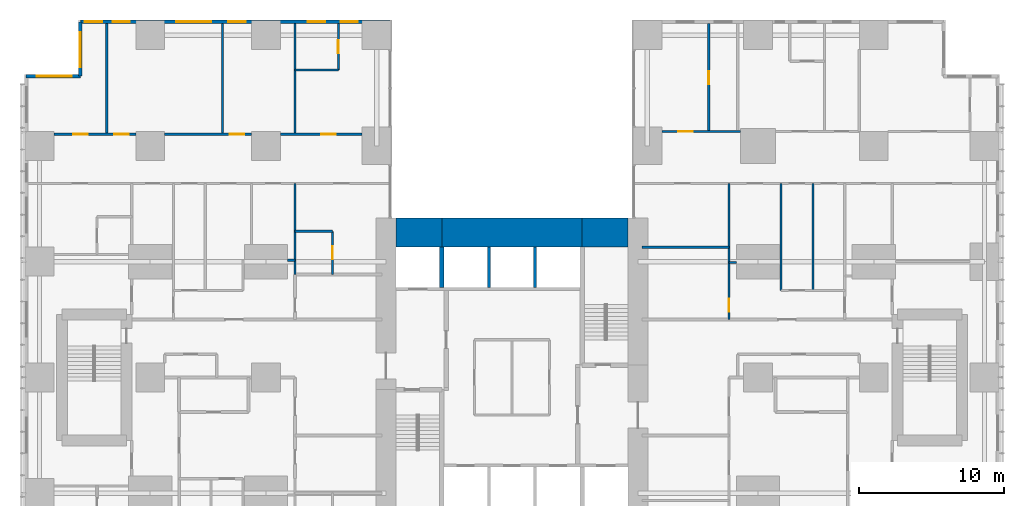
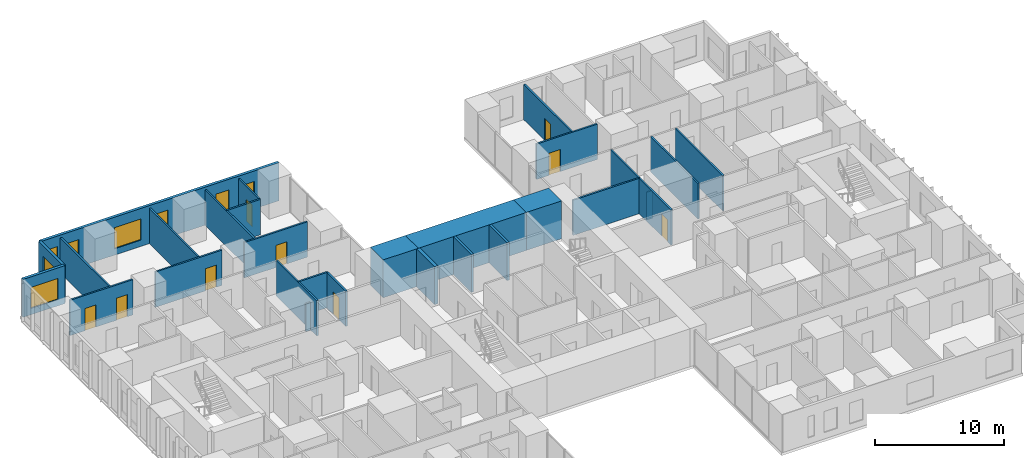
# One storey, part 17 of 20: 28 walls, 9 doors, 8 windows, 17 openings.
"""IFC4 building model written with IfcOpenShell, lengths in metres."""

from ifc_helpers import new_model, si_unit, direction, frame, frame_2d, origin, place, context, subcontext, project, spatial, rectangle, extrude, material, layer, layer_set, type_object, element, fill, save


model = new_model("IFC4")

# Units and contexts
model_context = context("Model", 3, precision=1e-05, world=origin(), true_north=direction((0.0, 1.0)))
body_context = subcontext(model_context, "Body", "Model", "MODEL_VIEW")
ifc_project = project(units=[si_unit("LENGTHUNIT", "METRE"), si_unit("AREAUNIT", "SQUARE_METRE"), si_unit("VOLUMEUNIT", "CUBIC_METRE"), si_unit("PLANEANGLEUNIT", "RADIAN"), si_unit("MASSUNIT", "GRAM", prefix="KILO")], contexts=[model_context])

# Site, building, storey
site_placement = place(None, origin())
site = spatial("IfcSite", under=ifc_project, at=site_placement, CompositionType="ELEMENT")
building_placement = place(site_placement, origin())
building = spatial("IfcBuilding", under=site, at=building_placement, Name="Cleftline Residences", CompositionType="ELEMENT")
storey_placement = place(building_placement, frame((0.0, 0.0, 36.800048828125)))
storey = spatial("IfcBuildingStorey", under=building, at=storey_placement, Name="L08", CompositionType="ELEMENT", Elevation=36.800048828125)

# Walls
ifc_material_1 = material(Name="Concrete B70", Category="concrete")
ifc_layer_1 = layer(ifc_material_1, 2.0)
ifc_layer_set_1 = layer_set([ifc_layer_1], Name="CORE WALL 2000")
wall_type_1 = type_object("IfcWallType", Name="CORE WALL 2000", PredefinedType="SHEAR", material=ifc_layer_set_1)
wall_1_placement = place(storey_placement, frame((25.0, 34.0, 0.0), z_axis=(0.0, 0.0, 1.0), x_axis=(1.0, 0.0, 0.0)))
element("IfcWall", 1, at=wall_1_placement, inside=storey, type_object=wall_type_1, Name="Core wall N1", PredefinedType="SHEAR", context=body_context, shape_type="SweptSolid", body=[
    extrude(rectangle(XDim=3.14990234375, YDim=2.0, at=frame_2d((1.574951171875, 0.0))), origin(), (0.0, 0.0, 1.0), 3.599853515625),
])
wall_2_placement = place(storey_placement, frame((28.14990234375, 34.0, 0.0), z_axis=(0.0, 0.0, 1.0), x_axis=(1.0, 0.0, 0.0)))
element("IfcWall", 2, at=wall_2_placement, inside=storey, type_object=wall_type_1, Name="Core wall N2", PredefinedType="SHEAR", context=body_context, shape_type="SweptSolid", body=[
    extrude(rectangle(XDim=9.7001953125, YDim=2.0, at=frame_2d((4.85009765625, 0.0))), origin(), (0.0, 0.0, 1.0), 3.599853515625),
])
wall_3_placement = place(storey_placement, frame((37.85009765625, 34.0, 0.0), z_axis=(0.0, 0.0, 1.0), x_axis=(1.0, 0.0, 0.0)))
element("IfcWall", 3, at=wall_3_placement, inside=storey, type_object=wall_type_1, Name="Core wall N3", PredefinedType="SHEAR", context=body_context, shape_type="SweptSolid", body=[
    extrude(rectangle(XDim=3.14990234375, YDim=2.0, at=frame_2d((1.574951171875, 0.0))), origin(), (0.0, 0.0, 1.0), 3.599853515625),
])
ifc_material_2 = material(Name="Concrete B70", Category="concrete")
ifc_layer_2 = layer(ifc_material_2, 0.300048828125)
ifc_layer_set_2 = layer_set([ifc_layer_2], Name="CORE WALL 300")
wall_type_2 = type_object("IfcWallType", Name="CORE WALL 300", PredefinedType="SHEAR", material=ifc_layer_set_2)
wall_4_placement = place(storey_placement, frame((28.14990234375, 30.199951171875, 0.0), z_axis=(0.0, 0.0, 1.0), x_axis=(0.0, 1.0, 0.0)))
element("IfcWall", 4, at=wall_4_placement, inside=storey, type_object=wall_type_2, Name="Lift shaft wall", PredefinedType="SHEAR", context=body_context, shape_type="SweptSolid", body=[
    extrude(rectangle(XDim=2.800048828125, YDim=0.300048828125, at=frame_2d((1.39990234375, 0.0))), origin(), (0.0, 0.0, 1.0), 3.599853515625),
])

# Wall, openings, windows
ifc_material_3 = material(Name="Rendered reinforced concrete blockwork", Category="masonry")
ifc_layer_3 = layer(ifc_material_3, 0.25)
ifc_layer_set_3 = layer_set([ifc_layer_3], Name="EXTERNAL WALL 250")
wall_type_3 = type_object("IfcWallType", Name="EXTERNAL WALL 250", PredefinedType="SOLIDWALL", material=ifc_layer_set_3)
wall_5_placement = place(storey_placement, frame((24.574951171875, 48.574951171875, 0.0), z_axis=(0.0, 0.0, 1.0), x_axis=(-1.0, 0.0, 0.0)))
wall_5 = element("IfcWall", 5, at=wall_5_placement, inside=storey, type_object=wall_type_3, Name="External wall", PredefinedType="SOLIDWALL", context=body_context, shape_type="SweptSolid", body=[
    extrude(rectangle(XDim=21.39990234375, YDim=0.25, at=frame_2d((10.699951171875, 0.0))), origin(), (0.0, 0.0, 1.0), 3.599853515625),
])
opening_1_placement = place(wall_5_placement, frame((2.22509765625, 0.0, 0.60009765625)))
opening_1 = element("IfcOpeningElement", 6, at=opening_1_placement, cuts=wall_5, Name="Opening W8", PredefinedType="OPENING", context=body_context, shape_type="SweptSolid", body=[
    extrude(rectangle(XDim=1.199951171875, YDim=2.0, at=frame_2d((0.60009765625, 1.0))), frame((0.0, 0.135009765625, 0.0), z_axis=(0.0, -1.0, 0.0), x_axis=(1.0, 0.0, 0.0)), (0.0, 0.0, 1.0), 0.27001953125),
])
opening_2_placement = place(wall_5_placement, frame((4.47509765625, 0.0, 0.60009765625)))
opening_2 = element("IfcOpeningElement", 7, at=opening_2_placement, cuts=wall_5, Name="Opening W8", PredefinedType="OPENING", context=body_context, shape_type="SweptSolid", body=[
    extrude(rectangle(XDim=1.199951171875, YDim=2.0, at=frame_2d((0.60009765625, 1.0))), frame((0.0, 0.135009765625, 0.0), z_axis=(0.0, -1.0, 0.0), x_axis=(1.0, 0.0, 0.0)), (0.0, 0.0, 1.0), 0.27001953125),
])
opening_3_placement = place(wall_5_placement, frame((9.97509765625, 0.0, 0.60009765625)))
opening_3 = element("IfcOpeningElement", 8, at=opening_3_placement, cuts=wall_5, Name="Opening W8", PredefinedType="OPENING", context=body_context, shape_type="SweptSolid", body=[
    extrude(rectangle(XDim=1.199951171875, YDim=2.0, at=frame_2d((0.60009765625, 1.0))), frame((0.0, 0.135009765625, 0.0), z_axis=(0.0, -1.0, 0.0), x_axis=(1.0, 0.0, 0.0)), (0.0, 0.0, 1.0), 0.27001953125),
])
opening_4_placement = place(wall_5_placement, frame((12.375, 0.0, 0.60009765625)))
opening_4 = element("IfcOpeningElement", 9, at=opening_4_placement, cuts=wall_5, Name="Opening W6", PredefinedType="OPENING", context=body_context, shape_type="SweptSolid", body=[
    extrude(rectangle(XDim=2.39990234375, YDim=2.0, at=frame_2d((1.199951171875, 1.0))), frame((0.0, 0.135009765625, 0.0), z_axis=(0.0, -1.0, 0.0), x_axis=(1.0, 0.0, 0.0)), (0.0, 0.0, 1.0), 0.27001953125),
])
opening_5_placement = place(wall_5_placement, frame((17.97509765625, 0.0, 0.60009765625)))
opening_5 = element("IfcOpeningElement", 10, at=opening_5_placement, cuts=wall_5, Name="Opening W8", PredefinedType="OPENING", context=body_context, shape_type="SweptSolid", body=[
    extrude(rectangle(XDim=1.199951171875, YDim=2.0, at=frame_2d((0.60009765625, 1.0))), frame((0.0, 0.135009765625, 0.0), z_axis=(0.0, -1.0, 0.0), x_axis=(1.0, 0.0, 0.0)), (0.0, 0.0, 1.0), 0.27001953125),
])
opening_6_placement = place(wall_5_placement, frame((19.89990234375, 0.0, 0.60009765625)))
opening_6 = element("IfcOpeningElement", 11, at=opening_6_placement, cuts=wall_5, Name="Opening W8", PredefinedType="OPENING", context=body_context, shape_type="SweptSolid", body=[
    extrude(rectangle(XDim=1.199951171875, YDim=2.0, at=frame_2d((0.60009765625, 1.0))), frame((0.0, 0.135009765625, 0.0), z_axis=(0.0, -1.0, 0.0), x_axis=(1.0, 0.0, 0.0)), (0.0, 0.0, 1.0), 0.27001953125),
])
ifc_material_4 = material(Name="Aluminium frame, clear double glazing", Category="aluminium")
window_type_1 = type_object("IfcWindowType", Name="WINDOW 1200X2000", PartitioningType="DOUBLE_PANEL_VERTICAL", PredefinedType="WINDOW", material=ifc_material_4)
window_1_placement = place(opening_1_placement, origin())
window_1 = element("IfcWindow", 12, at=window_1_placement, inside=storey, type_object=window_type_1, Name="Window", OverallHeight=2.0, OverallWidth=1.199951171875, PartitioningType="SINGLE_PANEL", PredefinedType="WINDOW", context=body_context, shape_type="SweptSolid", body=[
    extrude(rectangle(XDim=1.199951171875, YDim=2.0, at=frame_2d((0.60009765625, 1.0))), frame((0.0, 0.030029296875, 0.0), z_axis=(0.0, -1.0, 0.0), x_axis=(1.0, 0.0, 0.0)), (0.0, 0.0, 1.0), 0.06005859375),
])
fill(opening_1, window_1)
window_2_placement = place(opening_2_placement, origin())
window_2 = element("IfcWindow", 13, at=window_2_placement, inside=storey, type_object=window_type_1, Name="Window", OverallHeight=2.0, OverallWidth=1.199951171875, PartitioningType="SINGLE_PANEL", PredefinedType="WINDOW", context=body_context, shape_type="SweptSolid", body=[
    extrude(rectangle(XDim=1.199951171875, YDim=2.0, at=frame_2d((0.60009765625, 1.0))), frame((0.0, 0.030029296875, 0.0), z_axis=(0.0, -1.0, 0.0), x_axis=(1.0, 0.0, 0.0)), (0.0, 0.0, 1.0), 0.06005859375),
])
fill(opening_2, window_2)
window_3_placement = place(opening_3_placement, origin())
window_3 = element("IfcWindow", 14, at=window_3_placement, inside=storey, type_object=window_type_1, Name="Window", OverallHeight=2.0, OverallWidth=1.199951171875, PartitioningType="SINGLE_PANEL", PredefinedType="WINDOW", context=body_context, shape_type="SweptSolid", body=[
    extrude(rectangle(XDim=1.199951171875, YDim=2.0, at=frame_2d((0.60009765625, 1.0))), frame((0.0, 0.030029296875, 0.0), z_axis=(0.0, -1.0, 0.0), x_axis=(1.0, 0.0, 0.0)), (0.0, 0.0, 1.0), 0.06005859375),
])
fill(opening_3, window_3)
window_4_placement = place(opening_5_placement, origin())
window_4 = element("IfcWindow", 15, at=window_4_placement, inside=storey, type_object=window_type_1, Name="Window", OverallHeight=2.0, OverallWidth=1.199951171875, PartitioningType="SINGLE_PANEL", PredefinedType="WINDOW", context=body_context, shape_type="SweptSolid", body=[
    extrude(rectangle(XDim=1.199951171875, YDim=2.0, at=frame_2d((0.60009765625, 1.0))), frame((0.0, 0.030029296875, 0.0), z_axis=(0.0, -1.0, 0.0), x_axis=(1.0, 0.0, 0.0)), (0.0, 0.0, 1.0), 0.06005859375),
])
fill(opening_5, window_4)
window_5_placement = place(opening_6_placement, origin())
window_5 = element("IfcWindow", 16, at=window_5_placement, inside=storey, type_object=window_type_1, Name="Window", OverallHeight=2.0, OverallWidth=1.199951171875, PartitioningType="SINGLE_PANEL", PredefinedType="WINDOW", context=body_context, shape_type="SweptSolid", body=[
    extrude(rectangle(XDim=1.199951171875, YDim=2.0, at=frame_2d((0.60009765625, 1.0))), frame((0.0, 0.030029296875, 0.0), z_axis=(0.0, -1.0, 0.0), x_axis=(1.0, 0.0, 0.0)), (0.0, 0.0, 1.0), 0.06005859375),
])
fill(opening_6, window_5)
ifc_material_5 = material(Name="Aluminium frame, clear double glazing", Category="aluminium")
window_type_2 = type_object("IfcWindowType", Name="WINDOW 2400X2000", PartitioningType="DOUBLE_PANEL_VERTICAL", PredefinedType="WINDOW", material=ifc_material_5)
window_6_placement = place(opening_4_placement, origin())
window_6 = element("IfcWindow", 17, at=window_6_placement, inside=storey, type_object=window_type_2, Name="Window", OverallHeight=2.0, OverallWidth=2.39990234375, PartitioningType="SINGLE_PANEL", PredefinedType="WINDOW", context=body_context, shape_type="SweptSolid", body=[
    extrude(rectangle(XDim=2.39990234375, YDim=2.0, at=frame_2d((1.199951171875, 1.0))), frame((0.0, 0.030029296875, 0.0), z_axis=(0.0, -1.0, 0.0), x_axis=(1.0, 0.0, 0.0)), (0.0, 0.0, 1.0), 0.06005859375),
])
fill(opening_4, window_6)

# Wall, opening, window
wall_6_placement = place(storey_placement, frame((3.175048828125, 48.574951171875, 0.0), z_axis=(0.0, 0.0, 1.0), x_axis=(0.0, -1.0, 0.0)))
wall_6 = element("IfcWall", 18, at=wall_6_placement, inside=storey, type_object=wall_type_3, Name="External wall", PredefinedType="SOLIDWALL", context=body_context, shape_type="SweptSolid", body=[
    extrude(rectangle(XDim=3.75, YDim=0.25, at=frame_2d((1.875, 0.0))), origin(), (0.0, 0.0, 1.0), 3.599853515625),
])
opening_7_placement = place(wall_6_placement, frame((0.737548828125, 0.0, 0.60009765625)))
opening_7 = element("IfcOpeningElement", 19, at=opening_7_placement, cuts=wall_6, Name="Opening W6", PredefinedType="OPENING", context=body_context, shape_type="SweptSolid", body=[
    extrude(rectangle(XDim=2.39990234375, YDim=2.0, at=frame_2d((1.199951171875, 1.0))), frame((0.0, 0.135009765625, 0.0), z_axis=(0.0, -1.0, 0.0), x_axis=(1.0, 0.0, 0.0)), (0.0, 0.0, 1.0), 0.27001953125),
])
window_7_placement = place(opening_7_placement, origin())
window_7 = element("IfcWindow", 20, at=window_7_placement, inside=storey, type_object=window_type_2, Name="Window", OverallHeight=2.0, OverallWidth=2.39990234375, PartitioningType="SINGLE_PANEL", PredefinedType="WINDOW", context=body_context, shape_type="SweptSolid", body=[
    extrude(rectangle(XDim=2.39990234375, YDim=2.0, at=frame_2d((1.199951171875, 1.0))), frame((0.0, 0.030029296875, 0.0), z_axis=(0.0, -1.0, 0.0), x_axis=(1.0, 0.0, 0.0)), (0.0, 0.0, 1.0), 0.06005859375),
])
fill(opening_7, window_7)

wall_7_placement = place(storey_placement, frame((3.175048828125, 44.824951171875, 0.0), z_axis=(0.0, 0.0, 1.0), x_axis=(-1.0, 0.0, 0.0)))
wall_7 = element("IfcWall", 21, at=wall_7_placement, inside=storey, type_object=wall_type_3, Name="External wall", PredefinedType="SOLIDWALL", context=body_context, shape_type="SweptSolid", body=[
    extrude(rectangle(XDim=3.75, YDim=0.25, at=frame_2d((1.875, 0.0))), origin(), (0.0, 0.0, 1.0), 3.599853515625),
])
opening_8_placement = place(wall_7_placement, frame((0.612548828125, 0.0, 0.60009765625)))
opening_8 = element("IfcOpeningElement", 22, at=opening_8_placement, cuts=wall_7, Name="Opening W6", PredefinedType="OPENING", context=body_context, shape_type="SweptSolid", body=[
    extrude(rectangle(XDim=2.39990234375, YDim=2.0, at=frame_2d((1.199951171875, 1.0))), frame((0.0, 0.135009765625, 0.0), z_axis=(0.0, -1.0, 0.0), x_axis=(1.0, 0.0, 0.0)), (0.0, 0.0, 1.0), 0.27001953125),
])
window_8_placement = place(opening_8_placement, origin())
window_8 = element("IfcWindow", 23, at=window_8_placement, inside=storey, type_object=window_type_2, Name="Window", OverallHeight=2.0, OverallWidth=2.39990234375, PartitioningType="SINGLE_PANEL", PredefinedType="WINDOW", context=body_context, shape_type="SweptSolid", body=[
    extrude(rectangle(XDim=2.39990234375, YDim=2.0, at=frame_2d((1.199951171875, 1.0))), frame((0.0, 0.030029296875, 0.0), z_axis=(0.0, -1.0, 0.0), x_axis=(1.0, 0.0, 0.0)), (0.0, 0.0, 1.0), 0.06005859375),
])
fill(opening_8, window_8)

# Walls
ifc_material_6 = material(Name="Gypsum board on steel studs", Category="steel")
ifc_layer_4 = layer(ifc_material_6, 0.14990234375)
ifc_layer_set_4 = layer_set([ifc_layer_4], Name="PARTITION 150")
wall_type_4 = type_object("IfcWallType", Name="PARTITION 150", PredefinedType="PARTITIONING", material=ifc_layer_set_4)
for number, where, z_axis, x_axis, name in (
    (24, (48.0, 31.949951171875, 0.0), (0.0, 0.0, 1.0), (1.0, 0.0, 0.0), "Partition"),
    (25, (17.5, 32.10009765625, 0.0), (0.0, 0.0, 1.0), (1.0, 0.0, 0.0), "Partition"),
):
    element("IfcWall", number, at=place(storey_placement, frame(where, z_axis=z_axis, x_axis=x_axis)), inside=storey, type_object=wall_type_4, Name=name, PredefinedType="PARTITIONING", context=body_context, shape_type="SweptSolid", body=[
        extrude(rectangle(XDim=0.5, YDim=0.14990234375, at=frame_2d((0.25, 0.0))), origin(), (0.0, 0.0, 1.0), 2.634033203125),
    ])
wall_8_placement = place(storey_placement, frame((42.0, 33.0, 0.0), z_axis=(0.0, 0.0, 1.0), x_axis=(1.0, 0.0, 0.0)))
element("IfcWall", 26, at=wall_8_placement, inside=storey, type_object=wall_type_4, Name="Partition", PredefinedType="PARTITIONING", context=body_context, shape_type="SweptSolid", body=[
    extrude(rectangle(XDim=6.0, YDim=0.14990234375, at=frame_2d((3.0, 0.0))), origin(), (0.0, 0.0, 1.0), 3.349853515625),
])
wall_9_placement = place(storey_placement, frame((18.0, 34.10009765625, 0.0), z_axis=(0.0, 0.0, 1.0), x_axis=(1.0, 0.0, 0.0)))
element("IfcWall", 27, at=wall_9_placement, inside=storey, type_object=wall_type_4, Name="Partition", PredefinedType="PARTITIONING", context=body_context, shape_type="SweptSolid", body=[
    extrude(rectangle(XDim=2.60009765625, YDim=0.14990234375, at=frame_2d((1.300048828125, 0.0))), origin(), (0.0, 0.0, 1.0), 3.349853515625),
])

# Wall, openings, doors
wall_10_placement = place(storey_placement, frame((1.35009765625, 40.800048828125, 0.0), z_axis=(0.0, 0.0, 1.0), x_axis=(1.0, 0.0, 0.0)))
wall_10 = element("IfcWall", 28, at=wall_10_placement, inside=storey, type_object=wall_type_4, Name="Partition", PredefinedType="PARTITIONING", context=body_context, shape_type="SweptSolid", body=[
    extrude(rectangle(XDim=5.64990234375, YDim=0.14990234375, at=frame_2d((2.824951171875, 0.0))), origin(), (0.0, 0.0, 1.0), 3.349853515625),
])
opening_9_placement = place(wall_10_placement, frame((1.324951171875, 0.0, 0.0)))
opening_9 = element("IfcOpeningElement", 29, at=opening_9_placement, cuts=wall_10, Name="Opening D2", PredefinedType="OPENING", context=body_context, shape_type="SweptSolid", body=[
    extrude(rectangle(XDim=1.0, YDim=2.10009765625, at=frame_2d((0.5, 1.050048828125))), frame((0.0, 0.0849609375, 0.0), z_axis=(0.0, -1.0, 0.0), x_axis=(1.0, 0.0, 0.0)), (0.0, 0.0, 1.0), 0.169921875),
])
opening_10_placement = place(wall_10_placement, frame((4.14990234375, 0.0, 0.0)))
opening_10 = element("IfcOpeningElement", 30, at=opening_10_placement, cuts=wall_10, Name="Opening D2", PredefinedType="OPENING", context=body_context, shape_type="SweptSolid", body=[
    extrude(rectangle(XDim=1.0, YDim=2.10009765625, at=frame_2d((0.5, 1.050048828125))), frame((0.0, 0.0849609375, 0.0), z_axis=(0.0, -1.0, 0.0), x_axis=(1.0, 0.0, 0.0)), (0.0, 0.0, 1.0), 0.169921875),
])
ifc_material_7 = material(Name="Timber veneer on solid core", Category="wood")
door_type_1 = type_object("IfcDoorType", Name="DOOR 1000X2100", OperationType="SINGLE_SWING_LEFT", PredefinedType="DOOR", material=ifc_material_7)
door_1_placement = place(opening_9_placement, origin())
door_1 = element("IfcDoor", 31, at=door_1_placement, inside=storey, type_object=door_type_1, Name="Door to winter garden", OperationType="SINGLE_SWING_RIGHT", OverallHeight=2.10009765625, OverallWidth=1.0, PredefinedType="DOOR", context=body_context, shape_type="SweptSolid", body=[
    extrude(rectangle(XDim=1.0, YDim=2.10009765625, at=frame_2d((0.5, 1.050048828125))), frame((0.0, 0.02490234375, 0.0), z_axis=(0.0, -1.0, 0.0), x_axis=(1.0, 0.0, 0.0)), (0.0, 0.0, 1.0), 0.050048828125),
])
fill(opening_9, door_1)
door_2_placement = place(opening_10_placement, origin())
door_2 = element("IfcDoor", 32, at=door_2_placement, inside=storey, type_object=door_type_1, Name="Door to living and dining room", OperationType="SINGLE_SWING_LEFT", OverallHeight=2.10009765625, OverallWidth=1.0, PredefinedType="DOOR", context=body_context, shape_type="SweptSolid", body=[
    extrude(rectangle(XDim=1.0, YDim=2.10009765625, at=frame_2d((0.5, 1.050048828125))), frame((0.0, 0.02490234375, 0.0), z_axis=(0.0, -1.0, 0.0), x_axis=(1.0, 0.0, 0.0)), (0.0, 0.0, 1.0), 0.050048828125),
])
fill(opening_10, door_2)

# Wall, opening, door
wall_11_placement = place(storey_placement, frame((9.0, 40.800048828125, 0.0), z_axis=(0.0, 0.0, 1.0), x_axis=(1.0, 0.0, 0.0)))
wall_11 = element("IfcWall", 33, at=wall_11_placement, inside=storey, type_object=wall_type_4, Name="Partition", PredefinedType="PARTITIONING", context=body_context, shape_type="SweptSolid", body=[
    extrude(rectangle(XDim=6.0, YDim=0.14990234375, at=frame_2d((3.0, 0.0))), origin(), (0.0, 0.0, 1.0), 3.349853515625),
])
opening_11_placement = place(wall_11_placement, frame((4.5, 0.0, 0.0)))
opening_11 = element("IfcOpeningElement", 34, at=opening_11_placement, cuts=wall_11, Name="Opening D2", PredefinedType="OPENING", context=body_context, shape_type="SweptSolid", body=[
    extrude(rectangle(XDim=1.0, YDim=2.10009765625, at=frame_2d((0.5, 1.050048828125))), frame((0.0, 0.0849609375, 0.0), z_axis=(0.0, -1.0, 0.0), x_axis=(1.0, 0.0, 0.0)), (0.0, 0.0, 1.0), 0.169921875),
])
door_3_placement = place(opening_11_placement, origin())
door_3 = element("IfcDoor", 35, at=door_3_placement, inside=storey, type_object=door_type_1, Name="Door to show kitchen", OperationType="SINGLE_SWING_LEFT", OverallHeight=2.10009765625, OverallWidth=1.0, PredefinedType="DOOR", context=body_context, shape_type="SweptSolid", body=[
    extrude(rectangle(XDim=1.0, YDim=2.10009765625, at=frame_2d((0.5, 1.050048828125))), frame((0.0, 0.02490234375, 0.0), z_axis=(0.0, -1.0, 0.0), x_axis=(1.0, 0.0, 0.0)), (0.0, 0.0, 1.0), 0.050048828125),
])
fill(opening_11, door_3)

wall_12_placement = place(storey_placement, frame((17.0, 40.800048828125, 0.0), z_axis=(0.0, 0.0, 1.0), x_axis=(1.0, 0.0, 0.0)))
wall_12 = element("IfcWall", 36, at=wall_12_placement, inside=storey, type_object=wall_type_4, Name="Partition", PredefinedType="PARTITIONING", context=body_context, shape_type="SweptSolid", body=[
    extrude(rectangle(XDim=5.64990234375, YDim=0.14990234375, at=frame_2d((2.824951171875, 0.0))), origin(), (0.0, 0.0, 1.0), 3.349853515625),
])
opening_12_placement = place(wall_12_placement, frame((2.824951171875, 0.0, 0.0)))
opening_12 = element("IfcOpeningElement", 37, at=opening_12_placement, cuts=wall_12, Name="Opening D2", PredefinedType="OPENING", context=body_context, shape_type="SweptSolid", body=[
    extrude(rectangle(XDim=1.0, YDim=2.10009765625, at=frame_2d((0.5, 1.050048828125))), frame((0.0, 0.0849609375, 0.0), z_axis=(0.0, -1.0, 0.0), x_axis=(1.0, 0.0, 0.0)), (0.0, 0.0, 1.0), 0.169921875),
])
door_4_placement = place(opening_12_placement, origin())
door_4 = element("IfcDoor", 38, at=door_4_placement, inside=storey, type_object=door_type_1, Name="Door to master bedroom", OperationType="SINGLE_SWING_LEFT", OverallHeight=2.10009765625, OverallWidth=1.0, PredefinedType="DOOR", context=body_context, shape_type="SweptSolid", body=[
    extrude(rectangle(XDim=1.0, YDim=2.10009765625, at=frame_2d((0.5, 1.050048828125))), frame((0.0, 0.02490234375, 0.0), z_axis=(0.0, -1.0, 0.0), x_axis=(1.0, 0.0, 0.0)), (0.0, 0.0, 1.0), 0.050048828125),
])
fill(opening_12, door_4)

wall_13_placement = place(storey_placement, frame((43.35009765625, 41.0, 0.0), z_axis=(0.0, 0.0, 1.0), x_axis=(1.0, 0.0, 0.0)))
wall_13 = element("IfcWall", 39, at=wall_13_placement, inside=storey, type_object=wall_type_4, Name="Partition", PredefinedType="PARTITIONING", context=body_context, shape_type="SweptSolid", body=[
    extrude(rectangle(XDim=5.449951171875, YDim=0.14990234375, at=frame_2d((2.72509765625, 0.0))), origin(), (0.0, 0.0, 1.0), 3.349853515625),
])
opening_13_placement = place(wall_13_placement, frame((1.125, 0.0, 0.0)))
opening_13 = element("IfcOpeningElement", 40, at=opening_13_placement, cuts=wall_13, Name="Opening D2", PredefinedType="OPENING", context=body_context, shape_type="SweptSolid", body=[
    extrude(rectangle(XDim=1.0, YDim=2.10009765625, at=frame_2d((0.5, 1.050048828125))), frame((0.0, 0.0849609375, 0.0), z_axis=(0.0, -1.0, 0.0), x_axis=(1.0, 0.0, 0.0)), (0.0, 0.0, 1.0), 0.169921875),
])
door_5_placement = place(opening_13_placement, origin())
door_5 = element("IfcDoor", 41, at=door_5_placement, inside=storey, type_object=door_type_1, Name="Door to bedroom 3", OperationType="SINGLE_SWING_RIGHT", OverallHeight=2.10009765625, OverallWidth=1.0, PredefinedType="DOOR", context=body_context, shape_type="SweptSolid", body=[
    extrude(rectangle(XDim=1.0, YDim=2.10009765625, at=frame_2d((0.5, 1.050048828125))), frame((0.0, 0.02490234375, 0.0), z_axis=(0.0, -1.0, 0.0), x_axis=(1.0, 0.0, 0.0)), (0.0, 0.0, 1.0), 0.050048828125),
])
fill(opening_13, door_5)

# Walls
wall_14_placement = place(storey_placement, frame((18.0, 45.25, 0.0), z_axis=(0.0, 0.0, 1.0), x_axis=(1.0, 0.0, 0.0)))
element("IfcWall", 42, at=wall_14_placement, inside=storey, type_object=wall_type_4, Name="Partition", PredefinedType="PARTITIONING", context=body_context, shape_type="SweptSolid", body=[
    extrude(rectangle(XDim=3.0, YDim=0.14990234375, at=frame_2d((1.5, 0.0))), origin(), (0.0, 0.0, 1.0), 3.349853515625),
])
for number, where, z_axis, x_axis, name in (
    (43, (5.0, 40.800048828125, 0.0), (0.0, 0.0, 1.0), (0.0, 1.0, 0.0), "Partition"),
    (44, (13.0, 40.800048828125, 0.0), (0.0, 0.0, 1.0), (0.0, 1.0, 0.0), "Partition"),
):
    element("IfcWall", number, at=place(storey_placement, frame(where, z_axis=z_axis, x_axis=x_axis)), inside=storey, type_object=wall_type_4, Name=name, PredefinedType="PARTITIONING", context=body_context, shape_type="SweptSolid", body=[
        extrude(rectangle(XDim=7.64990234375, YDim=0.14990234375, at=frame_2d((3.824951171875, 0.0))), origin(), (0.0, 0.0, 1.0), 3.349853515625),
    ])
wall_15_placement = place(storey_placement, frame((18.0, 31.10009765625, 0.0), z_axis=(0.0, 0.0, 1.0), x_axis=(0.0, 1.0, 0.0)))
element("IfcWall", 45, at=wall_15_placement, inside=storey, type_object=wall_type_4, Name="Partition", PredefinedType="PARTITIONING", context=body_context, shape_type="SweptSolid", body=[
    extrude(rectangle(XDim=6.2998046875, YDim=0.14990234375, at=frame_2d((3.14990234375, 0.0))), origin(), (0.0, 0.0, 1.0), 3.349853515625),
])
wall_16_placement = place(storey_placement, frame((18.0, 40.800048828125, 0.0), z_axis=(0.0, 0.0, 1.0), x_axis=(0.0, 1.0, 0.0)))
element("IfcWall", 46, at=wall_16_placement, inside=storey, type_object=wall_type_4, Name="Partition", PredefinedType="PARTITIONING", context=body_context, shape_type="SweptSolid", body=[
    extrude(rectangle(XDim=7.64990234375, YDim=0.14990234375, at=frame_2d((3.824951171875, 0.0))), origin(), (0.0, 0.0, 1.0), 3.349853515625),
])

# Wall, opening, door
wall_17_placement = place(storey_placement, frame((20.60009765625, 31.10009765625, 0.0), z_axis=(0.0, 0.0, 1.0), x_axis=(0.0, 1.0, 0.0)))
wall_17 = element("IfcWall", 47, at=wall_17_placement, inside=storey, type_object=wall_type_4, Name="Partition", PredefinedType="PARTITIONING", context=body_context, shape_type="SweptSolid", body=[
    extrude(rectangle(XDim=3.0, YDim=0.14990234375, at=frame_2d((1.5, 0.0))), origin(), (0.0, 0.0, 1.0), 3.349853515625),
])
opening_14_placement = place(wall_17_placement, frame((1.050048828125, 0.0, 0.0)))
opening_14 = element("IfcOpeningElement", 48, at=opening_14_placement, cuts=wall_17, Name="Opening D1", PredefinedType="OPENING", context=body_context, shape_type="SweptSolid", body=[
    extrude(rectangle(XDim=0.89990234375, YDim=2.10009765625, at=frame_2d((0.449951171875, 1.050048828125))), frame((0.0, 0.0849609375, 0.0), z_axis=(0.0, -1.0, 0.0), x_axis=(1.0, 0.0, 0.0)), (0.0, 0.0, 1.0), 0.169921875),
])
ifc_material_8 = material(Name="Timber veneer on solid core", Category="wood")
door_type_2 = type_object("IfcDoorType", Name="DOOR 900X2100", OperationType="SINGLE_SWING_LEFT", PredefinedType="DOOR", material=ifc_material_8)
door_6_placement = place(opening_14_placement, origin())
door_6 = element("IfcDoor", 49, at=door_6_placement, inside=storey, type_object=door_type_2, Name="Door to en-suite bathroom 3", OperationType="SINGLE_SWING_LEFT", OverallHeight=2.10009765625, OverallWidth=0.89990234375, PredefinedType="DOOR", context=body_context, shape_type="SweptSolid", body=[
    extrude(rectangle(XDim=0.89990234375, YDim=2.10009765625, at=frame_2d((0.449951171875, 1.050048828125))), frame((0.0, 0.02490234375, 0.0), z_axis=(0.0, -1.0, 0.0), x_axis=(1.0, 0.0, 0.0)), (0.0, 0.0, 1.0), 0.050048828125),
])
fill(opening_14, door_6)

wall_18_placement = place(storey_placement, frame((21.0, 45.25, 0.0), z_axis=(0.0, 0.0, 1.0), x_axis=(0.0, 1.0, 0.0)))
wall_18 = element("IfcWall", 50, at=wall_18_placement, inside=storey, type_object=wall_type_4, Name="Partition", PredefinedType="PARTITIONING", context=body_context, shape_type="SweptSolid", body=[
    extrude(rectangle(XDim=3.199951171875, YDim=0.14990234375, at=frame_2d((1.60009765625, 0.0))), origin(), (0.0, 0.0, 1.0), 3.349853515625),
])
opening_15_placement = place(wall_18_placement, frame((1.14990234375, 0.0, 0.0)))
opening_15 = element("IfcOpeningElement", 51, at=opening_15_placement, cuts=wall_18, Name="Opening D1", PredefinedType="OPENING", context=body_context, shape_type="SweptSolid", body=[
    extrude(rectangle(XDim=0.89990234375, YDim=2.10009765625, at=frame_2d((0.449951171875, 1.050048828125))), frame((0.0, 0.0849609375, 0.0), z_axis=(0.0, -1.0, 0.0), x_axis=(1.0, 0.0, 0.0)), (0.0, 0.0, 1.0), 0.169921875),
])
door_7_placement = place(opening_15_placement, origin())
door_7 = element("IfcDoor", 52, at=door_7_placement, inside=storey, type_object=door_type_2, Name="Door to master bathroom", OperationType="SINGLE_SWING_LEFT", OverallHeight=2.10009765625, OverallWidth=0.89990234375, PredefinedType="DOOR", context=body_context, shape_type="SweptSolid", body=[
    extrude(rectangle(XDim=0.89990234375, YDim=2.10009765625, at=frame_2d((0.449951171875, 1.050048828125))), frame((0.0, 0.02490234375, 0.0), z_axis=(0.0, -1.0, 0.0), x_axis=(1.0, 0.0, 0.0)), (0.0, 0.0, 1.0), 0.050048828125),
])
fill(opening_15, door_7)

wall_19_placement = place(storey_placement, frame((46.60009765625, 41.0, 0.0), z_axis=(0.0, 0.0, 1.0), x_axis=(0.0, 1.0, 0.0)))
wall_19 = element("IfcWall", 53, at=wall_19_placement, inside=storey, type_object=wall_type_4, Name="Partition", PredefinedType="PARTITIONING", context=body_context, shape_type="SweptSolid", body=[
    extrude(rectangle(XDim=7.449951171875, YDim=0.14990234375, at=frame_2d((3.72509765625, 0.0))), origin(), (0.0, 0.0, 1.0), 3.349853515625),
])
opening_16_placement = place(wall_19_placement, frame((3.27490234375, 0.0, 0.0)))
opening_16 = element("IfcOpeningElement", 54, at=opening_16_placement, cuts=wall_19, Name="Opening D1", PredefinedType="OPENING", context=body_context, shape_type="SweptSolid", body=[
    extrude(rectangle(XDim=0.89990234375, YDim=2.10009765625, at=frame_2d((0.449951171875, 1.050048828125))), frame((0.0, 0.0849609375, 0.0), z_axis=(0.0, -1.0, 0.0), x_axis=(1.0, 0.0, 0.0)), (0.0, 0.0, 1.0), 0.169921875),
])
door_8_placement = place(opening_16_placement, origin())
door_8 = element("IfcDoor", 55, at=door_8_placement, inside=storey, type_object=door_type_2, Name="Door to en-suite bathroom 3", OperationType="SINGLE_SWING_LEFT", OverallHeight=2.10009765625, OverallWidth=0.89990234375, PredefinedType="DOOR", context=body_context, shape_type="SweptSolid", body=[
    extrude(rectangle(XDim=0.89990234375, YDim=2.10009765625, at=frame_2d((0.449951171875, 1.050048828125))), frame((0.0, 0.02490234375, 0.0), z_axis=(0.0, -1.0, 0.0), x_axis=(1.0, 0.0, 0.0)), (0.0, 0.0, 1.0), 0.050048828125),
])
fill(opening_16, door_8)

wall_20_placement = place(storey_placement, frame((48.0, 28.0, 0.0), z_axis=(0.0, 0.0, 1.0), x_axis=(0.0, 1.0, 0.0)))
wall_20 = element("IfcWall", 56, at=wall_20_placement, inside=storey, type_object=wall_type_4, Name="Partition", PredefinedType="PARTITIONING", context=body_context, shape_type="SweptSolid", body=[
    extrude(rectangle(XDim=9.39990234375, YDim=0.14990234375, at=frame_2d((4.699951171875, 0.0))), origin(), (0.0, 0.0, 1.0), 3.349853515625),
])
opening_17_placement = place(wall_20_placement, frame((0.550048828125, 0.0, 0.0)))
opening_17 = element("IfcOpeningElement", 57, at=opening_17_placement, cuts=wall_20, Name="Opening D1", PredefinedType="OPENING", context=body_context, shape_type="SweptSolid", body=[
    extrude(rectangle(XDim=0.89990234375, YDim=2.10009765625, at=frame_2d((0.449951171875, 1.050048828125))), frame((0.0, 0.0849609375, 0.0), z_axis=(0.0, -1.0, 0.0), x_axis=(1.0, 0.0, 0.0)), (0.0, 0.0, 1.0), 0.169921875),
])
door_9_placement = place(opening_17_placement, origin())
door_9 = element("IfcDoor", 58, at=door_9_placement, inside=storey, type_object=door_type_2, Name="Door to laundry", OperationType="SINGLE_SWING_RIGHT", OverallHeight=2.10009765625, OverallWidth=0.89990234375, PredefinedType="DOOR", context=body_context, shape_type="SweptSolid", body=[
    extrude(rectangle(XDim=0.89990234375, YDim=2.10009765625, at=frame_2d((0.449951171875, 1.050048828125))), frame((0.0, 0.02490234375, 0.0), z_axis=(0.0, -1.0, 0.0), x_axis=(1.0, 0.0, 0.0)), (0.0, 0.0, 1.0), 0.050048828125),
])
fill(opening_17, door_9)

# Walls
for number, where, z_axis, x_axis, name in (
    (59, (51.60009765625, 30.0, 0.0), (0.0, 0.0, 1.0), (0.0, 1.0, 0.0), "Partition"),
    (60, (53.800048828125, 30.0, 0.0), (0.0, 0.0, 1.0), (0.0, 1.0, 0.0), "Partition"),
):
    element("IfcWall", number, at=place(storey_placement, frame(where, z_axis=z_axis, x_axis=x_axis)), inside=storey, type_object=wall_type_4, Name=name, PredefinedType="PARTITIONING", context=body_context, shape_type="SweptSolid", body=[
        extrude(rectangle(XDim=7.39990234375, YDim=0.14990234375, at=frame_2d((3.699951171875, 0.0))), origin(), (0.0, 0.0, 1.0), 3.349853515625),
    ])
ifc_material_9 = material(Name="Concrete blockwork, fire rated", Category="masonry")
ifc_layer_5 = layer(ifc_material_9, 0.199951171875)
ifc_layer_set_5 = layer_set([ifc_layer_5], Name="SHAFT WALL 200")
wall_type_5 = type_object("IfcWallType", Name="SHAFT WALL 200", PredefinedType="PARTITIONING", material=ifc_layer_set_5)
for number, where, z_axis, x_axis, name in (
    (61, (31.39990234375, 30.199951171875, 0.0), (0.0, 0.0, 1.0), (0.0, 1.0, 0.0), "Lift shaft wall"),
    (62, (34.60009765625, 30.199951171875, 0.0), (0.0, 0.0, 1.0), (0.0, 1.0, 0.0), "Lift shaft wall"),
):
    element("IfcWall", number, at=place(storey_placement, frame(where, z_axis=z_axis, x_axis=x_axis)), inside=storey, type_object=wall_type_5, Name=name, PredefinedType="PARTITIONING", context=body_context, shape_type="SweptSolid", body=[
        extrude(rectangle(XDim=2.800048828125, YDim=0.199951171875, at=frame_2d((1.39990234375, 0.0))), origin(), (0.0, 0.0, 1.0), 3.599853515625),
    ])

save(model, "model.ifc")
